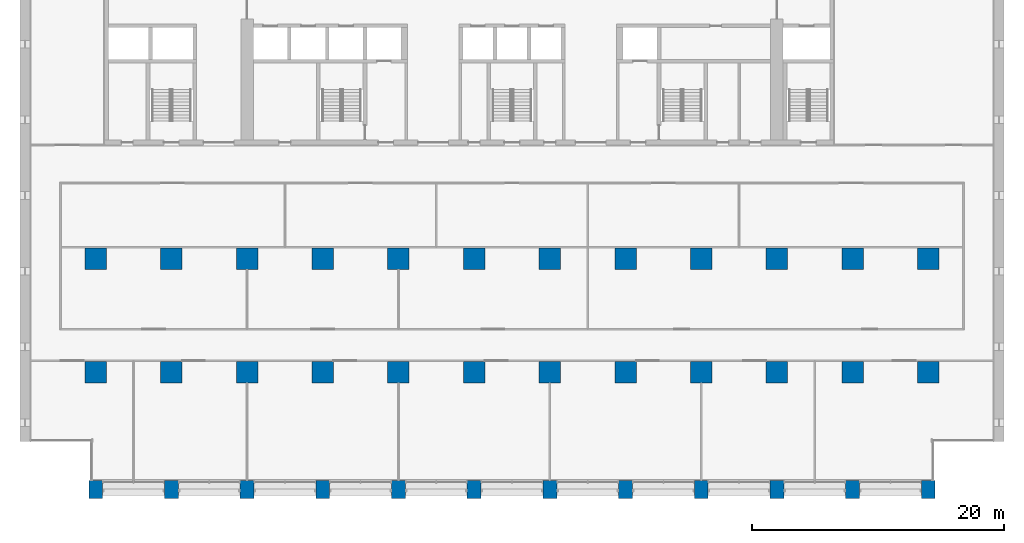
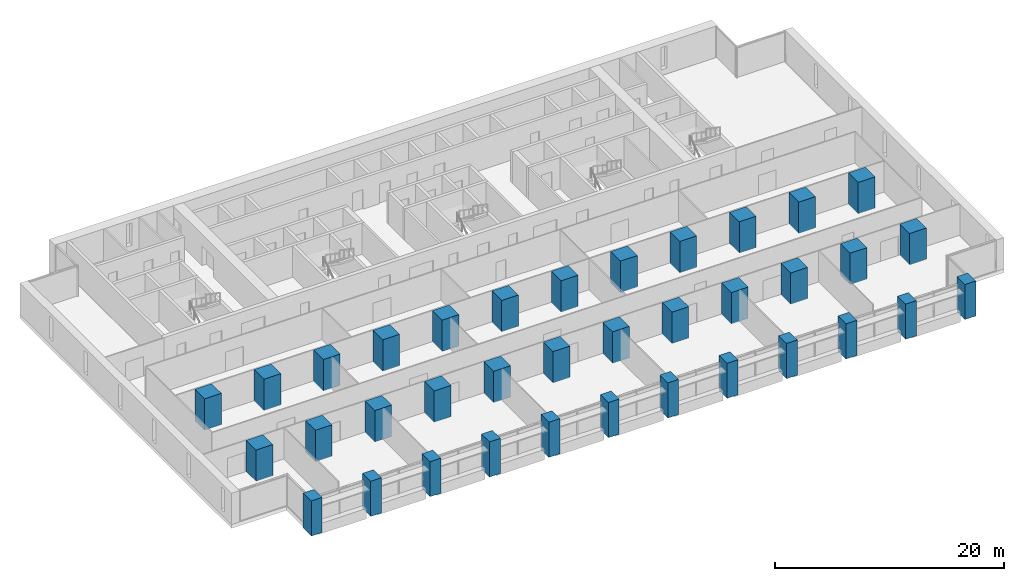
# One storey, part 1 of 18: 36 columns.
"""IFC4 building model written with IfcOpenShell, lengths in metres."""

import ifcopenshell
import ifcopenshell.guid

model = None  # the IFC model being written
_history = None  # IfcOwnerHistory: only IFC2X3 demands one
_inside = {}  # id of a spatial element -> (the spatial element, [elements in it])
_under = {}  # id of a project, library or spatial element -> (it, [spatial elements below it])
_declared = {}  # id of a project -> (the project, [libraries it declares])
_typed = {}  # id of a type object -> (the type object, [elements of that type])
_made_of = {}  # id of a material, layer set ... -> (it, [elements and type objects made of it])


def new_model(schema):
    """Start an empty IFC model of exactly this schema.

    Asked for "IFC4X3", IfcOpenShell would pick the latest addendum, in which some entities
    have other attributes; the version numbers below select the first issue.
    IFC2X3 requires an IfcOwnerHistory on every rooted entity: one is made here for all.
    """
    global model, _history
    if schema == "IFC4X3":
        model = ifcopenshell.file(schema_version=(4, 3, 0, 0))
    else:
        model = ifcopenshell.file(schema=schema)
    _inside.clear()
    _under.clear()
    _declared.clear()
    _typed.clear()
    _made_of.clear()
    _history = None
    if model.schema == "IFC2X3":
        org = make("IfcOrganization", Name="unknown")
        user = make(
            "IfcPersonAndOrganization",
            ThePerson=make("IfcPerson", FamilyName="unknown"),
            TheOrganization=org,
        )
        app = make(
            "IfcApplication",
            ApplicationDeveloper=org,
            Version="unknown",
            ApplicationFullName="unknown",
            ApplicationIdentifier="unknown",
        )
        _history = make(
            "IfcOwnerHistory",
            OwningUser=user,
            OwningApplication=app,
            ChangeAction="ADDED",
            CreationDate=0,
        )
    return model


def make(cls, **values):
    """One entity of the class cls with the attributes given. An attribute that is None is left unset."""
    return model.create_entity(
        cls, **{name: value for name, value in values.items() if value is not None}
    )


def rooted(cls, **values):
    """An entity with a GlobalId (a new one), such as an element, a storey or a relation."""
    return make(cls, GlobalId=ifcopenshell.guid.new(), OwnerHistory=_history, **values)


def si_unit(unit_type, name, prefix=None):
    """IfcSIUnit, for example si_unit("LENGTHUNIT", "METRE", prefix="MILLI")."""
    return make("IfcSIUnit", UnitType=unit_type, Prefix=prefix, Name=name)


def assignment(units):
    """IfcUnitAssignment: the units of a project."""
    return None if units is None else make("IfcUnitAssignment", Units=units)


def point(xyz):
    """IfcCartesianPoint."""
    return None if xyz is None else make("IfcCartesianPoint", Coordinates=xyz)


def direction(xyz):
    """IfcDirection."""
    return None if xyz is None else make("IfcDirection", DirectionRatios=xyz)


def frame(location, z_axis=None, x_axis=None):
    """IfcAxis2Placement3D, a coordinate frame: its origin and axes. An axis left out is left unset."""
    return make(
        "IfcAxis2Placement3D",
        Location=point(location),
        Axis=direction(z_axis),
        RefDirection=direction(x_axis),
    )


def frame_2d(location, x_axis=None):
    """IfcAxis2Placement2D, a coordinate frame in the plane: its origin and x axis."""
    return make(
        "IfcAxis2Placement2D", Location=point(location), RefDirection=direction(x_axis)
    )


def origin():
    """The frame at (0, 0, 0) with its axes left unset."""
    return frame((0.0, 0.0, 0.0))


def origin_2d():
    """The frame at (0, 0) in the plane with its x axis left unset."""
    return frame_2d((0.0, 0.0))


def place(relative_to, where):
    """IfcLocalPlacement: puts the frame where relative to a parent placement (None: the world)."""
    return make(
        "IfcLocalPlacement", PlacementRelTo=relative_to, RelativePlacement=where
    )


def context(
    kind, dimensions, precision=None, world=None, true_north=None, identifier=None
):
    """IfcGeometricRepresentationContext, for example the 3D "Model" context."""
    return make(
        "IfcGeometricRepresentationContext",
        ContextIdentifier=identifier,
        ContextType=kind,
        CoordinateSpaceDimension=dimensions,
        Precision=precision,
        WorldCoordinateSystem=world,
        TrueNorth=true_north,
    )


def subcontext(parent, identifier, kind, view, scale=None):
    """IfcGeometricRepresentationSubContext, for example "Body" below "Model"."""
    return make(
        "IfcGeometricRepresentationSubContext",
        ContextIdentifier=identifier,
        ContextType=kind,
        ParentContext=parent,
        TargetScale=scale,
        TargetView=view,
    )


def project(units=None, contexts=None):
    """IfcProject with its units and contexts."""
    return rooted(
        "IfcProject",
        Name="project",
        RepresentationContexts=contexts,
        UnitsInContext=assignment(units),
    )


def spatial(cls, under=None, at=None, **own):
    """A site, building, storey or space (cls), placed at a placement, below another one or the project."""
    s = rooted(cls, ObjectPlacement=at, **own)
    if under is not None:
        _under.setdefault(under.id(), (under, []))[1].append(s)
    return s


def profile(cls, at=None, kind="AREA", **sizes):
    """A parametric profile (cls). Its sizes go by their IFC names, for example OverallWidth=200.0."""
    return make(cls, ProfileType=kind, Position=at, **sizes)


def rectangle(**sizes):
    """IfcRectangleProfileDef."""
    return profile("IfcRectangleProfileDef", **sizes)


def extrude(swept, where, along, depth):
    """IfcExtrudedAreaSolid: the profile swept, set in the frame where, extruded along a direction by depth."""
    return make(
        "IfcExtrudedAreaSolid",
        SweptArea=swept,
        Position=where,
        ExtrudedDirection=direction(along),
        Depth=depth,
    )


def shape(context_of_items, identifier, shape_type, items):
    """IfcShapeRepresentation: the items that make up one representation, for example the "Body"."""
    return make(
        "IfcShapeRepresentation",
        ContextOfItems=context_of_items,
        RepresentationIdentifier=identifier,
        RepresentationType=shape_type,
        Items=items,
    )


def material(Name=None, Category=None):
    """IfcMaterial."""
    return make("IfcMaterial", Name=Name, Category=Category)


def material_profile(
    of_material, cross_section, Name=None, Category=None, Priority=None
):
    """IfcMaterialProfile: a cross section and its material."""
    return make(
        "IfcMaterialProfile",
        Name=Name,
        Material=of_material,
        Profile=cross_section,
        Priority=Priority,
        Category=Category,
    )


def profile_set(profiles, Name=None, composite=None):
    """IfcMaterialProfileSet."""
    return make(
        "IfcMaterialProfileSet",
        Name=Name,
        MaterialProfiles=profiles,
        CompositeProfile=composite,
    )


def made_of(thing, what):
    """Note that an element or type object is made of a material, layer set ...; save() writes the relation."""
    if what is not None:
        _made_of.setdefault(what.id(), (what, []))[1].append(thing)
    return thing


def type_object(cls, material=None, **own):
    """A type object (cls), such as IfcWallType, which elements share."""
    return made_of(rooted(cls, **own), material)


def element(
    cls,
    number,
    at=None,
    inside=None,
    cuts=None,
    type_object=None,
    material=None,
    context=None,
    identifier="Body",
    shape_type=None,
    held_by="IfcProductDefinitionShape",
    body=None,
    shapes=None,
    **own,
):
    """One element of the class cls, such as IfcWall. Its Tag is "e" and its number.

    at: its placement. inside: the storey or other place that contains it. cuts: it is an
    opening in that element (IfcRelVoidsElement). A single representation is given by context,
    identifier, shape_type and body (its items); several are given by shapes. held_by: the class
    of the entity that holds the representations. save() writes the other relations.
    """
    e = rooted(cls, Tag="e%d" % number, ObjectPlacement=at, **own)
    if body is not None:
        shapes = [shape(context, identifier, shape_type, body)]
    if shapes is not None:
        e.Representation = make(held_by, Representations=shapes)
    if inside is not None:
        _inside.setdefault(inside.id(), (inside, []))[1].append(e)
    if cuts is not None:
        rooted(
            "IfcRelVoidsElement", RelatingBuildingElement=cuts, RelatedOpeningElement=e
        )
    if type_object is not None:
        _typed.setdefault(type_object.id(), (type_object, []))[1].append(e)
    return made_of(e, material)


def aggregate(whole, parts):
    """IfcRelAggregates: a whole, such as a stair, and the parts it consists of."""
    return rooted("IfcRelAggregates", RelatingObject=whole, RelatedObjects=parts)


def save(model, path):
    """Write the relations noted so far, then the file.

    IfcRelAggregates (storeys below a building ...), IfcRelContainedInSpatialStructure (elements
    in a storey), IfcRelDefinesByType, IfcRelAssociatesMaterial and IfcRelDeclares: one each for
    every whole, place, type object, material and project.
    """
    for whole, parts in _under.values():
        aggregate(whole, parts)
    for where, things in _inside.values():
        rooted(
            "IfcRelContainedInSpatialStructure",
            RelatedElements=things,
            RelatingStructure=where,
        )
    for kind, things in _typed.values():
        rooted("IfcRelDefinesByType", RelatedObjects=things, RelatingType=kind)
    for what, things in _made_of.values():
        rooted("IfcRelAssociatesMaterial", RelatedObjects=things, RelatingMaterial=what)
    for by, libraries in _declared.values():
        rooted("IfcRelDeclares", RelatingContext=by, RelatedDefinitions=libraries)
    model.write(path)


model = new_model("IFC4")

# Units and contexts
model_context = context("Model", 3, precision=1e-05, world=origin(), true_north=direction((0.0, 1.0)))
body_context = subcontext(model_context, "Body", "Model", "MODEL_VIEW")
ifc_project = project(units=[si_unit("LENGTHUNIT", "METRE"), si_unit("AREAUNIT", "SQUARE_METRE"), si_unit("VOLUMEUNIT", "CUBIC_METRE"), si_unit("PLANEANGLEUNIT", "RADIAN"), si_unit("MASSUNIT", "GRAM", prefix="KILO")], contexts=[model_context])

# Site, building, storey
site_placement = place(None, origin())
site = spatial("IfcSite", under=ifc_project, at=site_placement, CompositionType="ELEMENT")
building_placement = place(site_placement, origin())
building = spatial("IfcBuilding", under=site, at=building_placement, Name="Calvaro Tower", CompositionType="ELEMENT")
storey_placement = place(building_placement, frame((0.0, 0.0, 52.5)))
storey = spatial("IfcBuildingStorey", under=building, at=storey_placement, Name="L12", CompositionType="ELEMENT", Elevation=52.5)

# Columns
ifc_material_1 = material(Name="Concrete C80/95", Category="concrete")
ifc_material_profile_1 = material_profile(ifc_material_1, rectangle(XDim=1.699951171875, YDim=1.699951171875, at=origin_2d()), Name="RC 1700x1700")
ifc_profile_set_1 = profile_set([ifc_material_profile_1], Name="Concrete C80/95")
column_type_1 = type_object("IfcColumnType", Name="Column 1700x1700 C80/95", PredefinedType="COLUMN", material=ifc_profile_set_1)
for number, where, z_axis, x_axis, name in (
    (1, (6.0, 10.0, 0.0), (0.0, 0.0, 1.0), (1.0, 0.0, 0.0), "Column 2B"),
    (2, (6.0, 19.0, 0.0), (0.0, 0.0, 1.0), (1.0, 0.0, 0.0), "Column 2C"),
    (3, (12.0, 10.0, 0.0), (0.0, 0.0, 1.0), (1.0, 0.0, 0.0), "Column 3B"),
    (4, (12.0, 19.0, 0.0), (0.0, 0.0, 1.0), (1.0, 0.0, 0.0), "Column 3C"),
    (5, (18.0, 10.0, 0.0), (0.0, 0.0, 1.0), (1.0, 0.0, 0.0), "Column 4B"),
    (6, (18.0, 19.0, 0.0), (0.0, 0.0, 1.0), (1.0, 0.0, 0.0), "Column 4C"),
    (7, (24.0, 10.0, 0.0), (0.0, 0.0, 1.0), (1.0, 0.0, 0.0), "Column 5B"),
    (8, (24.0, 19.0, 0.0), (0.0, 0.0, 1.0), (1.0, 0.0, 0.0), "Column 5C"),
    (9, (30.0, 10.0, 0.0), (0.0, 0.0, 1.0), (1.0, 0.0, 0.0), "Column 6B"),
    (10, (30.0, 19.0, 0.0), (0.0, 0.0, 1.0), (1.0, 0.0, 0.0), "Column 6C"),
    (11, (36.0, 10.0, 0.0), (0.0, 0.0, 1.0), (1.0, 0.0, 0.0), "Column 7B"),
    (12, (36.0, 19.0, 0.0), (0.0, 0.0, 1.0), (1.0, 0.0, 0.0), "Column 7C"),
    (13, (42.0, 10.0, 0.0), (0.0, 0.0, 1.0), (1.0, 0.0, 0.0), "Column 8B"),
    (14, (42.0, 19.0, 0.0), (0.0, 0.0, 1.0), (1.0, 0.0, 0.0), "Column 8C"),
    (15, (48.0, 10.0, 0.0), (0.0, 0.0, 1.0), (1.0, 0.0, 0.0), "Column 9B"),
    (16, (48.0, 19.0, 0.0), (0.0, 0.0, 1.0), (1.0, 0.0, 0.0), "Column 9C"),
    (17, (54.0, 10.0, 0.0), (0.0, 0.0, 1.0), (1.0, 0.0, 0.0), "Column 10B"),
    (18, (54.0, 19.0, 0.0), (0.0, 0.0, 1.0), (1.0, 0.0, 0.0), "Column 10C"),
    (19, (60.0, 10.0, 0.0), (0.0, 0.0, 1.0), (1.0, 0.0, 0.0), "Column 11B"),
    (20, (60.0, 19.0, 0.0), (0.0, 0.0, 1.0), (1.0, 0.0, 0.0), "Column 11C"),
    (21, (66.0, 10.0, 0.0), (0.0, 0.0, 1.0), (1.0, 0.0, 0.0), "Column 12B"),
    (22, (66.0, 19.0, 0.0), (0.0, 0.0, 1.0), (1.0, 0.0, 0.0), "Column 12C"),
    (23, (72.0, 10.0, 0.0), (0.0, 0.0, 1.0), (1.0, 0.0, 0.0), "Column 13B"),
    (24, (72.0, 19.0, 0.0), (0.0, 0.0, 1.0), (1.0, 0.0, 0.0), "Column 13C"),
):
    element("IfcColumn", number, at=place(storey_placement, frame(where, z_axis=z_axis, x_axis=x_axis)), inside=storey, type_object=column_type_1, Name=name, PredefinedType="COLUMN", context=body_context, shape_type="SweptSolid", body=[
        extrude(rectangle(XDim=1.699951171875, YDim=1.699951171875, at=origin_2d()), origin(), (0.0, 0.0, 1.0), 3.35009765625),
    ])
ifc_material_2 = material(Name="Concrete C80/95", Category="concrete")
ifc_material_profile_2 = material_profile(ifc_material_2, rectangle(XDim=1.10009765625, YDim=1.39990234375, at=origin_2d()), Name="RC 1100x1400")
ifc_profile_set_2 = profile_set([ifc_material_profile_2], Name="Concrete C80/95")
column_type_2 = type_object("IfcColumnType", Name="Pier 1100x1400 C80/95", PredefinedType="COLUMN", material=ifc_profile_set_2)
for number, where, z_axis, x_axis, name in (
    (25, (6.0, 0.699951171875, -0.39990234375), (0.0, 0.0, 1.0), (1.0, 0.0, 0.0), "South pier 2"),
    (26, (12.0, 0.699951171875, -0.39990234375), (0.0, 0.0, 1.0), (1.0, 0.0, 0.0), "South pier 3"),
    (27, (18.0, 0.699951171875, -0.39990234375), (0.0, 0.0, 1.0), (1.0, 0.0, 0.0), "South pier 4"),
    (28, (24.0, 0.699951171875, -0.39990234375), (0.0, 0.0, 1.0), (1.0, 0.0, 0.0), "South pier 5"),
    (29, (30.0, 0.699951171875, -0.39990234375), (0.0, 0.0, 1.0), (1.0, 0.0, 0.0), "South pier 6"),
    (30, (36.0, 0.699951171875, -0.39990234375), (0.0, 0.0, 1.0), (1.0, 0.0, 0.0), "South pier 7"),
    (31, (42.0, 0.699951171875, -0.39990234375), (0.0, 0.0, 1.0), (1.0, 0.0, 0.0), "South pier 8"),
    (32, (48.0, 0.699951171875, -0.39990234375), (0.0, 0.0, 1.0), (1.0, 0.0, 0.0), "South pier 9"),
    (33, (54.0, 0.699951171875, -0.39990234375), (0.0, 0.0, 1.0), (1.0, 0.0, 0.0), "South pier 10"),
    (34, (60.0, 0.699951171875, -0.39990234375), (0.0, 0.0, 1.0), (1.0, 0.0, 0.0), "South pier 11"),
    (35, (66.0, 0.699951171875, -0.39990234375), (0.0, 0.0, 1.0), (1.0, 0.0, 0.0), "South pier 12"),
    (36, (72.0, 0.699951171875, -0.39990234375), (0.0, 0.0, 1.0), (1.0, 0.0, 0.0), "South pier 13"),
):
    element("IfcColumn", number, at=place(storey_placement, frame(where, z_axis=z_axis, x_axis=x_axis)), inside=storey, type_object=column_type_2, Name=name, PredefinedType="COLUMN", context=body_context, shape_type="SweptSolid", body=[
        extrude(rectangle(XDim=1.10009765625, YDim=1.39990234375, at=origin_2d()), origin(), (0.0, 0.0, 1.0), 3.75),
    ])

save(model, "model.ifc")
